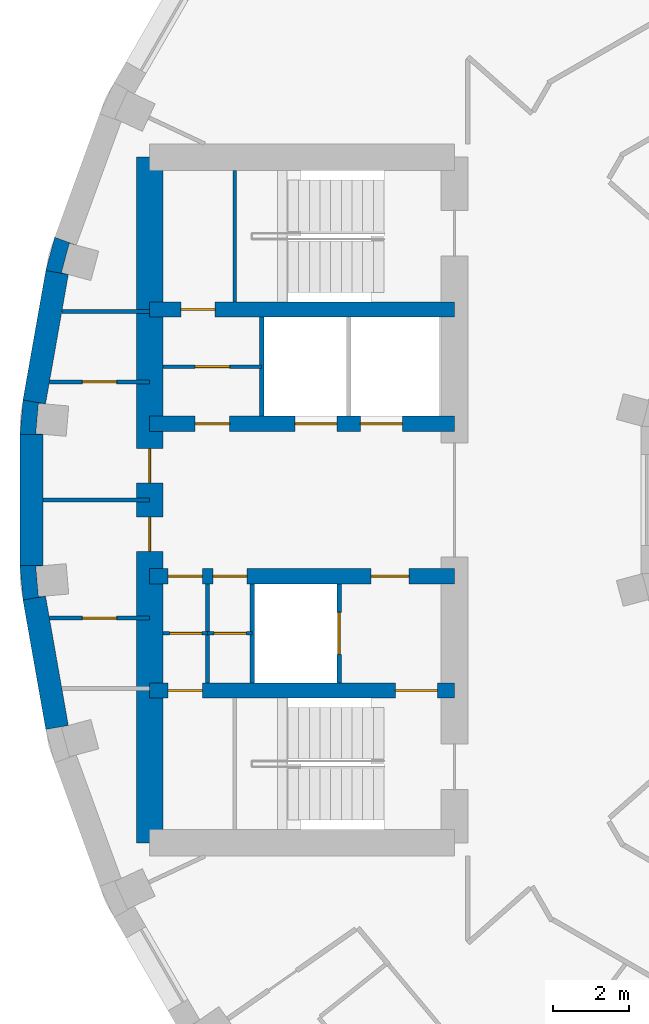
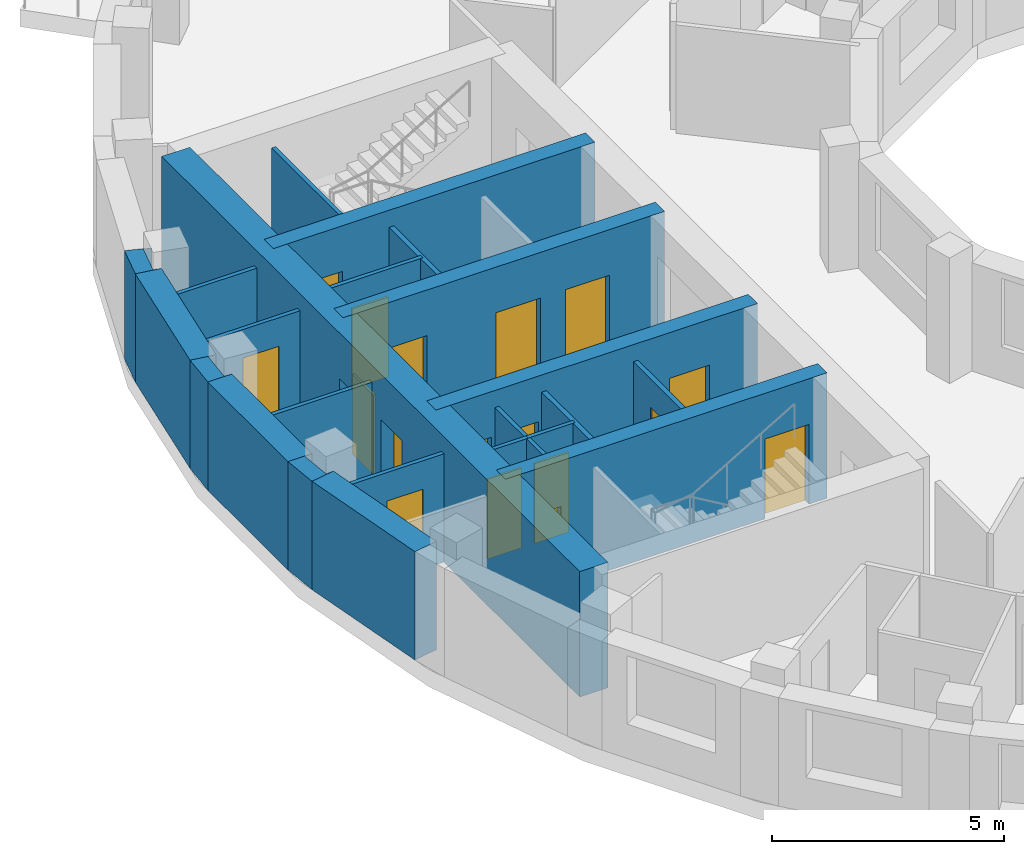
# One storey, part 6 of 14: 23 walls, 17 doors, 17 openings.
"""IFC4 building model written with IfcOpenShell, lengths in metres."""

from ifc_helpers import new_model, si_unit, direction, frame, frame_2d, origin, place, context, subcontext, project, spatial, polyline, rectangle, outline, extrude, material, layer, layer_set, type_object, element, fill, save


model = new_model("IFC4")

# Units and contexts
model_context = context("Model", 3, precision=1e-05, world=origin(), true_north=direction((0.0, 1.0)))
body_context = subcontext(model_context, "Body", "Model", "MODEL_VIEW")
ifc_project = project(units=[si_unit("LENGTHUNIT", "METRE"), si_unit("AREAUNIT", "SQUARE_METRE"), si_unit("VOLUMEUNIT", "CUBIC_METRE"), si_unit("PLANEANGLEUNIT", "RADIAN"), si_unit("MASSUNIT", "GRAM", prefix="KILO")], contexts=[model_context])

# Site, building, storey
site_placement = place(None, origin())
site = spatial("IfcSite", under=ifc_project, at=site_placement, CompositionType="ELEMENT")
building_placement = place(site_placement, origin())
building = spatial("IfcBuilding", under=site, at=building_placement, Name="Saqina Gate Tower", CompositionType="ELEMENT")
storey_placement = place(building_placement, frame((0.0, 0.0, 213.60009765625)))
storey = spatial("IfcBuildingStorey", under=building, at=storey_placement, Name="L61", CompositionType="ELEMENT", Elevation=213.60009765625)

# Walls
ifc_material_1 = material(Name="Brick masonry (buff)", Category="masonry")
wall_type_1 = type_object("IfcWallType", Name="BRICK PIER COPING BUFF", PredefinedType="SOLIDWALL", material=ifc_material_1)
wall_1_placement = place(storey_placement, origin())
element("IfcWall", 1, at=wall_1_placement, inside=storey, type_object=wall_type_1, Name="Pier cap L61 column 17", PredefinedType="SOLIDWALL", context=body_context, shape_type="SweptSolid", body=[
    extrude(outline(polyline([(-24.22705078125, 6.0234375), (-23.635986328125, 5.919189453125), (-23.81689453125, 5.967529296875), (-23.610107421875, 6.740478515625), (-23.428955078125, 6.69189453125), (-23.992919921875, 6.897216796875), (-24.22705078125, 6.0234375)])), origin(), (0.0, 0.0, 1.0), 2.849853515625),
])
wall_2_placement = place(storey_placement, origin())
element("IfcWall", 2, at=wall_2_placement, inside=storey, type_object=wall_type_1, Name="Pier cap L61 column 18", PredefinedType="SOLIDWALL", context=body_context, shape_type="SweptSolid", body=[
    extrude(outline(polyline([(-24.825927734375, 2.6259765625), (-24.90478515625, 1.724853515625), (-24.304931640625, 1.724853515625), (-24.491455078125, 1.7412109375), (-24.421630859375, 2.5380859375), (-24.235107421875, 2.521728515625), (-24.825927734375, 2.6259765625)])), origin(), (0.0, 0.0, 1.0), 2.849853515625),
])
wall_3_placement = place(storey_placement, origin())
element("IfcWall", 3, at=wall_3_placement, inside=storey, type_object=wall_type_1, Name="Pier cap L61 column 19", PredefinedType="SOLIDWALL", context=body_context, shape_type="SweptSolid", body=[
    extrude(outline(polyline([(-24.90478515625, -1.724853515625), (-24.825927734375, -2.6259765625), (-24.235107421875, -2.521728515625), (-24.421630859375, -2.5380859375), (-24.491455078125, -1.7412109375), (-24.304931640625, -1.724853515625), (-24.90478515625, -1.724853515625)])), origin(), (0.0, 0.0, 1.0), 2.849853515625),
])
ifc_material_2 = material(Name="Gypsum board on steel studs", Category="steel")
ifc_layer_1 = layer(ifc_material_2, 0.10009765625)
ifc_layer_set_1 = layer_set([ifc_layer_1], Name="CORE PARTITION")
wall_type_2 = type_object("IfcWallType", Name="CORE PARTITION", PredefinedType="PARTITIONING", material=ifc_layer_set_1)
wall_4_placement = place(storey_placement, frame((-21.5, 4.949951171875, 0.0), z_axis=(0.0, 0.0, 1.0), x_axis=(-1.0, 0.0, 0.0)))
element("IfcWall", 4, at=wall_4_placement, inside=storey, type_object=wall_type_2, Name="L61-CP-W01", PredefinedType="PARTITIONING", context=body_context, shape_type="SweptSolid", body=[
    extrude(rectangle(XDim=2.306884765625, YDim=0.10009765625, at=frame_2d((1.1533203125, 0.0))), origin(), (0.0, 0.0, 1.0), 2.849853515625),
])

# Wall, opening, door
wall_5_placement = place(storey_placement, frame((-21.5, 3.10009765625, 0.0), z_axis=(0.0, 0.0, 1.0), x_axis=(-1.0, 0.0, 0.0)))
wall_5 = element("IfcWall", 5, at=wall_5_placement, inside=storey, type_object=wall_type_2, Name="L61-CP-W02", PredefinedType="PARTITIONING", context=body_context, shape_type="SweptSolid", body=[
    extrude(rectangle(XDim=2.63330078125, YDim=0.10009765625, at=frame_2d((1.316650390625, 0.0))), origin(), (0.0, 0.0, 1.0), 2.849853515625),
])
opening_1_placement = place(wall_5_placement, frame((0.86669921875, 0.0, 0.0)))
opening_1 = element("IfcOpeningElement", 6, at=opening_1_placement, cuts=wall_5, Name="Opening G18-D111", PredefinedType="OPENING", context=body_context, shape_type="SweptSolid", body=[
    extrude(rectangle(XDim=0.89990234375, YDim=2.10009765625, at=frame_2d((0.449951171875, 1.050048828125))), frame((0.0, 0.06201171875, 0.0), z_axis=(0.0, -1.0, 0.0), x_axis=(1.0, 0.0, 0.0)), (0.0, 0.0, 1.0), 0.1240234375),
])
ifc_material_3 = material(Name="Steel-framed fire door leaf, EI 60", Category="steel")
door_type_1 = type_object("IfcDoorType", Name="SERVICE ROOM DOOR 900", OperationType="SINGLE_SWING_LEFT", PredefinedType="DOOR", material=ifc_material_3)
door_1_placement = place(opening_1_placement, origin())
door_1 = element("IfcDoor", 7, at=door_1_placement, inside=storey, type_object=door_type_1, Name="L61-CD-W22", OperationType="SINGLE_SWING_LEFT", OverallHeight=2.10009765625, OverallWidth=0.89990234375, PredefinedType="DOOR", context=body_context, shape_type="SweptSolid", body=[
    extrude(rectangle(XDim=0.89990234375, YDim=2.10009765625, at=frame_2d((0.449951171875, 1.050048828125))), frame((0.0, 0.02490234375, 0.0), z_axis=(0.0, -1.0, 0.0), x_axis=(1.0, 0.0, 0.0)), (0.0, 0.0, 1.0), 0.050048828125),
])
fill(opening_1, door_1)

wall_6_placement = place(storey_placement, frame((-21.5, -3.10009765625, 0.0), z_axis=(0.0, 0.0, 1.0), x_axis=(-1.0, 0.0, 0.0)))
wall_6 = element("IfcWall", 8, at=wall_6_placement, inside=storey, type_object=wall_type_2, Name="L61-CP-W04", PredefinedType="PARTITIONING", context=body_context, shape_type="SweptSolid", body=[
    extrude(rectangle(XDim=2.63330078125, YDim=0.10009765625, at=frame_2d((1.316650390625, 0.0))), origin(), (0.0, 0.0, 1.0), 2.849853515625),
])
opening_2_placement = place(wall_6_placement, frame((0.86669921875, 0.0, 0.0)))
opening_2 = element("IfcOpeningElement", 9, at=opening_2_placement, cuts=wall_6, Name="Opening G18-D113", PredefinedType="OPENING", context=body_context, shape_type="SweptSolid", body=[
    extrude(rectangle(XDim=0.89990234375, YDim=2.10009765625, at=frame_2d((0.449951171875, 1.050048828125))), frame((0.0, 0.06201171875, 0.0), z_axis=(0.0, -1.0, 0.0), x_axis=(1.0, 0.0, 0.0)), (0.0, 0.0, 1.0), 0.1240234375),
])
door_2_placement = place(opening_2_placement, frame((0.89990234375, 0.0, 0.0), z_axis=(0.0, 0.0, 1.0), x_axis=(-1.0, 0.0, 0.0)))
door_2 = element("IfcDoor", 10, at=door_2_placement, inside=storey, type_object=door_type_1, Name="L61-CD-W24", OperationType="SINGLE_SWING_RIGHT", OverallHeight=2.10009765625, OverallWidth=0.89990234375, PredefinedType="DOOR", context=body_context, shape_type="SweptSolid", body=[
    extrude(rectangle(XDim=0.89990234375, YDim=2.10009765625, at=frame_2d((0.449951171875, 1.050048828125))), frame((0.0, 0.02490234375, 0.0), z_axis=(0.0, -1.0, 0.0), x_axis=(1.0, 0.0, 0.0)), (0.0, 0.0, 1.0), 0.050048828125),
])
fill(opening_2, door_2)

# Walls
wall_7_placement = place(storey_placement, frame((-21.5, 0.0, 0.0), z_axis=(0.0, 0.0, 1.0), x_axis=(-1.0, 0.0, 0.0)))
element("IfcWall", 11, at=wall_7_placement, inside=storey, type_object=wall_type_2, Name="L61-CP-W05", PredefinedType="PARTITIONING", context=body_context, shape_type="SweptSolid", body=[
    extrude(rectangle(XDim=2.804931640625, YDim=0.10009765625, at=frame_2d((1.40234375, 0.0))), origin(), (0.0, 0.0, 1.0), 2.849853515625),
])
wall_8_placement = place(storey_placement, frame((-19.97998046875, -4.800048828125, 0.0), z_axis=(0.0, 0.0, 1.0), x_axis=(0.0, 1.0, 0.0)))
element("IfcWall", 12, at=wall_8_placement, inside=storey, type_object=wall_type_2, Name="L61-CP-W10", PredefinedType="PARTITIONING", context=body_context, shape_type="SweptSolid", body=[
    extrude(rectangle(XDim=2.60009765625, YDim=0.10009765625, at=frame_2d((1.300048828125, 0.0))), origin(), (0.0, 0.0, 1.0), 2.849853515625),
])

# Wall, opening, door
wall_9_placement = place(storey_placement, frame((-18.56005859375, 3.5, 0.0), z_axis=(0.0, 0.0, 1.0), x_axis=(-1.0, 0.0, 0.0)))
wall_9 = element("IfcWall", 13, at=wall_9_placement, inside=storey, type_object=wall_type_2, Name="L61-CP-W11", PredefinedType="PARTITIONING", context=body_context, shape_type="SweptSolid", body=[
    extrude(rectangle(XDim=2.58984375, YDim=0.10009765625, at=frame_2d((1.294921875, 0.0))), origin(), (0.0, 0.0, 1.0), 2.849853515625),
])
opening_3_placement = place(wall_9_placement, frame((0.844970703125, 0.0, 0.0)))
opening_3 = element("IfcOpeningElement", 14, at=opening_3_placement, cuts=wall_9, Name="Opening G18-D115", PredefinedType="OPENING", context=body_context, shape_type="SweptSolid", body=[
    extrude(rectangle(XDim=0.89990234375, YDim=2.10009765625, at=frame_2d((0.449951171875, 1.050048828125))), frame((0.0, 0.06201171875, 0.0), z_axis=(0.0, -1.0, 0.0), x_axis=(1.0, 0.0, 0.0)), (0.0, 0.0, 1.0), 0.1240234375),
])
door_3_placement = place(opening_3_placement, frame((0.89990234375, 0.0, 0.0), z_axis=(0.0, 0.0, 1.0), x_axis=(-1.0, 0.0, 0.0)))
door_3 = element("IfcDoor", 15, at=door_3_placement, inside=storey, type_object=door_type_1, Name="L61-CD-W26", OperationType="SINGLE_SWING_LEFT", OverallHeight=2.10009765625, OverallWidth=0.89990234375, PredefinedType="DOOR", context=body_context, shape_type="SweptSolid", body=[
    extrude(rectangle(XDim=0.89990234375, YDim=2.10009765625, at=frame_2d((0.449951171875, 1.050048828125))), frame((0.0, 0.02490234375, 0.0), z_axis=(0.0, -1.0, 0.0), x_axis=(1.0, 0.0, 0.0)), (0.0, 0.0, 1.0), 0.050048828125),
])
fill(opening_3, door_3)

wall_10_placement = place(storey_placement, frame((-18.81005859375, -3.5, 0.0), z_axis=(0.0, 0.0, 1.0), x_axis=(-1.0, 0.0, 0.0)))
wall_10 = element("IfcWall", 16, at=wall_10_placement, inside=storey, type_object=wall_type_2, Name="L61-CP-W12", PredefinedType="PARTITIONING", context=body_context, shape_type="SweptSolid", body=[
    extrude(rectangle(XDim=1.169921875, YDim=0.10009765625, at=frame_2d((0.5849609375, 0.0))), origin(), (0.0, 0.0, 1.0), 2.849853515625),
])
opening_4_placement = place(wall_10_placement, frame((0.14990234375, 0.0, 0.0)))
opening_4 = element("IfcOpeningElement", 17, at=opening_4_placement, cuts=wall_10, Name="Opening G18-D117", PredefinedType="OPENING", context=body_context, shape_type="SweptSolid", body=[
    extrude(rectangle(XDim=0.85009765625, YDim=2.10009765625, at=frame_2d((0.425048828125, 1.050048828125))), frame((0.0, 0.06201171875, 0.0), z_axis=(0.0, -1.0, 0.0), x_axis=(1.0, 0.0, 0.0)), (0.0, 0.0, 1.0), 0.1240234375),
])
ifc_material_4 = material(Name="Steel-framed fire door leaf, EI 60", Category="steel")
door_type_2 = type_object("IfcDoorType", Name="SERVICE ROOM DOOR 850", OperationType="SINGLE_SWING_LEFT", PredefinedType="DOOR", material=ifc_material_4)
door_4_placement = place(opening_4_placement, origin())
door_4 = element("IfcDoor", 18, at=door_4_placement, inside=storey, type_object=door_type_2, Name="L61-CD-W28", OperationType="SINGLE_SWING_LEFT", OverallHeight=2.10009765625, OverallWidth=0.85009765625, PredefinedType="DOOR", context=body_context, shape_type="SweptSolid", body=[
    extrude(rectangle(XDim=0.85009765625, YDim=2.10009765625, at=frame_2d((0.425048828125, 1.050048828125))), frame((0.0, 0.02490234375, 0.0), z_axis=(0.0, -1.0, 0.0), x_axis=(1.0, 0.0, 0.0)), (0.0, 0.0, 1.0), 0.050048828125),
])
fill(opening_4, door_4)

wall_11_placement = place(storey_placement, frame((-19.97998046875, -3.5, 0.0), z_axis=(0.0, 0.0, 1.0), x_axis=(-1.0, 0.0, 0.0)))
wall_11 = element("IfcWall", 19, at=wall_11_placement, inside=storey, type_object=wall_type_2, Name="L61-CP-W13", PredefinedType="PARTITIONING", context=body_context, shape_type="SweptSolid", body=[
    extrude(rectangle(XDim=1.169921875, YDim=0.10009765625, at=frame_2d((0.5849609375, 0.0))), origin(), (0.0, 0.0, 1.0), 2.849853515625),
])
opening_5_placement = place(wall_11_placement, frame((0.14990234375, 0.0, 0.0)))
opening_5 = element("IfcOpeningElement", 20, at=opening_5_placement, cuts=wall_11, Name="Opening G18-D118", PredefinedType="OPENING", context=body_context, shape_type="SweptSolid", body=[
    extrude(rectangle(XDim=0.85009765625, YDim=2.10009765625, at=frame_2d((0.425048828125, 1.050048828125))), frame((0.0, 0.06201171875, 0.0), z_axis=(0.0, -1.0, 0.0), x_axis=(1.0, 0.0, 0.0)), (0.0, 0.0, 1.0), 0.1240234375),
])
door_5_placement = place(opening_5_placement, origin())
door_5 = element("IfcDoor", 21, at=door_5_placement, inside=storey, type_object=door_type_2, Name="L61-CD-W29", OperationType="SINGLE_SWING_RIGHT", OverallHeight=2.10009765625, OverallWidth=0.85009765625, PredefinedType="DOOR", context=body_context, shape_type="SweptSolid", body=[
    extrude(rectangle(XDim=0.85009765625, YDim=2.10009765625, at=frame_2d((0.425048828125, 1.050048828125))), frame((0.0, 0.02490234375, 0.0), z_axis=(0.0, -1.0, 0.0), x_axis=(1.0, 0.0, 0.0)), (0.0, 0.0, 1.0), 0.050048828125),
])
fill(opening_5, door_5)

# Walls
ifc_material_5 = material(Name="Glazed ceramic tile", Category="ceramic")
ifc_layer_2 = layer(ifc_material_5, 0.60009765625)
ifc_layer_set_2 = layer_set([ifc_layer_2], Name="FW-TILE")
wall_type_3 = type_object("IfcWallType", Name="FW-TILE", PredefinedType="SOLIDWALL", material=ifc_layer_set_2)
wall_12_placement = place(storey_placement, frame((-24.60498046875, 1.724853515625, 0.0), z_axis=(0.0, 0.0, 1.0), x_axis=(0.0, -1.0, 0.0)))
element("IfcWall", 22, at=wall_12_placement, inside=storey, type_object=wall_type_3, Name="Facade wall L61 facet 18", PredefinedType="SOLIDWALL", context=body_context, shape_type="SweptSolid", body=[
    extrude(rectangle(XDim=3.44970703125, YDim=0.60009765625, at=frame_2d((1.724853515625, 0.0))), origin(), (0.0, 0.0, 1.0), 2.849853515625),
])
ifc_material_6 = material(Name="Glazed ceramic tile (dark blue)", Category="ceramic")
ifc_layer_3 = layer(ifc_material_6, 0.60009765625)
ifc_layer_set_3 = layer_set([ifc_layer_3], Name="FW-TILE-CB")
wall_type_4 = type_object("IfcWallType", Name="FW-TILE-CB", PredefinedType="SOLIDWALL", material=ifc_layer_set_3)
wall_13_placement = place(storey_placement, frame((-23.931640625, 5.97119140625, 0.0), z_axis=(0.0, 0.0, 1.0), x_axis=(-0.173607684551, -0.984814892183, 0.0)))
element("IfcWall", 23, at=wall_13_placement, inside=storey, type_object=wall_type_4, Name="Facade wall L61 facet 17", PredefinedType="SOLIDWALL", context=body_context, shape_type="SweptSolid", body=[
    extrude(rectangle(XDim=3.44970703125, YDim=0.60009765625, at=frame_2d((1.724853515625, 0.0))), origin(), (0.0, 0.0, 1.0), 2.849853515625),
])
ifc_material_7 = material(Name="Glazed ceramic tile (white)", Category="ceramic")
ifc_layer_4 = layer(ifc_material_7, 0.60009765625)
ifc_layer_set_4 = layer_set([ifc_layer_4], Name="FW-TILE-WH")
wall_type_5 = type_object("IfcWallType", Name="FW-TILE-WH", PredefinedType="SOLIDWALL", material=ifc_layer_set_4)
wall_14_placement = place(storey_placement, frame((-24.530517578125, -2.573974609375, 0.0), z_axis=(0.0, 0.0, 1.0), x_axis=(0.173607684551, -0.984814892183, 0.0)))
element("IfcWall", 24, at=wall_14_placement, inside=storey, type_object=wall_type_5, Name="Facade wall L61 facet 19", PredefinedType="SOLIDWALL", context=body_context, shape_type="SweptSolid", body=[
    extrude(rectangle(XDim=3.44970703125, YDim=0.60009765625, at=frame_2d((1.724853515625, 0.0))), origin(), (0.0, 0.0, 1.0), 2.849853515625),
])
ifc_material_8 = material(Name="Autoclaved aerated concrete block", Category="concrete")
ifc_layer_5 = layer(ifc_material_8, 0.1201171875)
ifc_layer_set_5 = layer_set([ifc_layer_5], Name="SHAFT PARTITION")
wall_type_6 = type_object("IfcWallType", Name="SHAFT PARTITION", PredefinedType="PARTITIONING", material=ifc_layer_set_5)
wall_15_placement = place(storey_placement, frame((-18.56005859375, 2.199951171875, 0.0), z_axis=(0.0, 0.0, 1.0), x_axis=(0.0, 1.0, 0.0)))
element("IfcWall", 25, at=wall_15_placement, inside=storey, type_object=wall_type_6, Name="L61-CP-W07", PredefinedType="PARTITIONING", context=body_context, shape_type="SweptSolid", body=[
    extrude(rectangle(XDim=2.60009765625, YDim=0.1201171875, at=frame_2d((1.300048828125, 0.0))), origin(), (0.0, 0.0, 1.0), 2.849853515625),
])

# Wall, opening, door
wall_16_placement = place(storey_placement, frame((-16.530029296875, -4.800048828125, 0.0), z_axis=(0.0, 0.0, 1.0), x_axis=(0.0, 1.0, 0.0)))
wall_16 = element("IfcWall", 26, at=wall_16_placement, inside=storey, type_object=wall_type_6, Name="L61-CP-W08", PredefinedType="PARTITIONING", context=body_context, shape_type="SweptSolid", body=[
    extrude(rectangle(XDim=2.60009765625, YDim=0.1201171875, at=frame_2d((1.300048828125, 0.0))), origin(), (0.0, 0.0, 1.0), 2.849853515625),
])
opening_6_placement = place(wall_16_placement, frame((0.75, 0.0, 0.0)))
opening_6 = element("IfcOpeningElement", 27, at=opening_6_placement, cuts=wall_16, Name="Opening G18-LD6", PredefinedType="OPENING", context=body_context, shape_type="SweptSolid", body=[
    extrude(rectangle(XDim=1.10009765625, YDim=2.10009765625, at=frame_2d((0.550048828125, 1.050048828125))), frame((0.0, 0.072021484375, 0.0), z_axis=(0.0, -1.0, 0.0), x_axis=(1.0, 0.0, 0.0)), (0.0, 0.0, 1.0), 0.14404296875),
])
ifc_material_9 = material(Name="Stainless steel", Category="steel")
door_type_3 = type_object("IfcDoorType", Name="LANDING DOOR", OperationType="DOUBLE_DOOR_SLIDING", PredefinedType="DOOR", material=ifc_material_9)
door_6_placement = place(opening_6_placement, origin())
door_6 = element("IfcDoor", 28, at=door_6_placement, inside=storey, type_object=door_type_3, Name="LANDING DOOR FF2", OperationType="DOUBLE_DOOR_SLIDING", OverallHeight=2.10009765625, OverallWidth=1.10009765625, PredefinedType="DOOR", context=body_context, shape_type="SweptSolid", body=[
    extrude(rectangle(XDim=1.10009765625, YDim=2.10009765625, at=frame_2d((0.550048828125, 1.050048828125))), frame((0.0, 0.02490234375, 0.0), z_axis=(0.0, -1.0, 0.0), x_axis=(1.0, 0.0, 0.0)), (0.0, 0.0, 1.0), 0.050048828125),
])
fill(opening_6, door_6)

# Walls
wall_17_placement = place(storey_placement, frame((-18.81005859375, -4.800048828125, 0.0), z_axis=(0.0, 0.0, 1.0), x_axis=(0.0, 1.0, 0.0)))
element("IfcWall", 29, at=wall_17_placement, inside=storey, type_object=wall_type_6, Name="L61-CP-W09", PredefinedType="PARTITIONING", context=body_context, shape_type="SweptSolid", body=[
    extrude(rectangle(XDim=2.60009765625, YDim=0.1201171875, at=frame_2d((1.300048828125, 0.0))), origin(), (0.0, 0.0, 1.0), 2.849853515625),
])
ifc_material_10 = material(Name="Autoclaved aerated concrete block", Category="concrete")
ifc_layer_6 = layer(ifc_material_10, 0.10009765625)
ifc_layer_set_6 = layer_set([ifc_layer_6], Name="STAIR ENCLOSURE WALL")
wall_type_7 = type_object("IfcWallType", Name="STAIR ENCLOSURE WALL", PredefinedType="PARTITIONING", material=ifc_layer_set_6)
wall_18_placement = place(storey_placement, frame((-19.27001953125, 5.199951171875, 0.0), z_axis=(0.0, 0.0, 1.0), x_axis=(0.0, 1.0, 0.0)))
element("IfcWall", 30, at=wall_18_placement, inside=storey, type_object=wall_type_7, Name="L61-CP-W14", PredefinedType="PARTITIONING", context=body_context, shape_type="SweptSolid", body=[
    extrude(rectangle(XDim=3.449951171875, YDim=0.10009765625, at=frame_2d((1.72509765625, 0.0))), origin(), (0.0, 0.0, 1.0), 2.849853515625),
])

# Wall, opening, door
ifc_material_11 = material(Name="Concrete C60/75", Category="concrete")
ifc_layer_7 = layer(ifc_material_11, 0.39990234375)
ifc_layer_set_7 = layer_set([ifc_layer_7], Name="Concrete C60/75")
wall_type_8 = type_object("IfcWallType", Name="STR-CORE WALL-C-I", PredefinedType="SHEAR", material=ifc_layer_set_7)
wall_19_placement = place(storey_placement, frame((-13.5, 5.0, 0.0), z_axis=(0.0, 0.0, 1.0), x_axis=(-1.0, 0.0, 0.0)))
wall_19 = element("IfcWall", 31, at=wall_19_placement, inside=storey, type_object=wall_type_8, Name="CORE WALL L61 W-X1", PredefinedType="SHEAR", context=body_context, shape_type="SweptSolid", body=[
    extrude(rectangle(XDim=8.0, YDim=0.39990234375, at=frame_2d((4.0, 0.0))), origin(), (0.0, 0.0, 1.0), 3.2998046875),
])
opening_7_placement = place(wall_19_placement, frame((6.284912109375, 0.0, 0.0)))
opening_7 = element("IfcOpeningElement", 32, at=opening_7_placement, cuts=wall_19, Name="Opening G18-D116", PredefinedType="OPENING", context=body_context, shape_type="SweptSolid", body=[
    extrude(rectangle(XDim=0.89990234375, YDim=2.10009765625, at=frame_2d((0.449951171875, 1.050048828125))), frame((0.0, 0.2119140625, 0.0), z_axis=(0.0, -1.0, 0.0), x_axis=(1.0, 0.0, 0.0)), (0.0, 0.0, 1.0), 0.423828125),
])
door_7_placement = place(opening_7_placement, frame((0.89990234375, 0.0, 0.0), z_axis=(0.0, 0.0, 1.0), x_axis=(-1.0, 0.0, 0.0)))
door_7 = element("IfcDoor", 33, at=door_7_placement, inside=storey, type_object=door_type_1, Name="L61-CD-W27", OperationType="SINGLE_SWING_LEFT", OverallHeight=2.10009765625, OverallWidth=0.89990234375, PredefinedType="DOOR", context=body_context, shape_type="SweptSolid", body=[
    extrude(rectangle(XDim=0.89990234375, YDim=2.10009765625, at=frame_2d((0.449951171875, 1.050048828125))), frame((0.0, 0.02490234375, 0.0), z_axis=(0.0, -1.0, 0.0), x_axis=(1.0, 0.0, 0.0)), (0.0, 0.0, 1.0), 0.050048828125),
])
fill(opening_7, door_7)

# Wall, openings, doors
wall_20_placement = place(storey_placement, frame((-13.5, -5.0, 0.0), z_axis=(0.0, 0.0, 1.0), x_axis=(-1.0, 0.0, 0.0)))
wall_20 = element("IfcWall", 34, at=wall_20_placement, inside=storey, type_object=wall_type_8, Name="CORE WALL L61 W-X2", PredefinedType="SHEAR", context=body_context, shape_type="SweptSolid", body=[
    extrude(rectangle(XDim=8.0, YDim=0.39990234375, at=frame_2d((4.0, 0.0))), origin(), (0.0, 0.0, 1.0), 3.2998046875),
])
opening_8_placement = place(wall_20_placement, frame((6.614990234375, 0.0, 0.0)))
opening_8 = element("IfcOpeningElement", 35, at=opening_8_placement, cuts=wall_20, Name="Opening G18-D119", PredefinedType="OPENING", context=body_context, shape_type="SweptSolid", body=[
    extrude(rectangle(XDim=0.89990234375, YDim=2.10009765625, at=frame_2d((0.449951171875, 1.050048828125))), frame((0.0, 0.2119140625, 0.0), z_axis=(0.0, -1.0, 0.0), x_axis=(1.0, 0.0, 0.0)), (0.0, 0.0, 1.0), 0.423828125),
])
opening_9_placement = place(wall_20_placement, frame((0.449951171875, 0.0, 0.0)))
opening_9 = element("IfcOpeningElement", 36, at=opening_9_placement, cuts=wall_20, Name="Opening G18-D120", PredefinedType="OPENING", context=body_context, shape_type="SweptSolid", body=[
    extrude(rectangle(XDim=1.10009765625, YDim=2.10009765625, at=frame_2d((0.550048828125, 1.050048828125))), frame((0.0, 0.2119140625, 0.0), z_axis=(0.0, -1.0, 0.0), x_axis=(1.0, 0.0, 0.0)), (0.0, 0.0, 1.0), 0.423828125),
])
ifc_material_12 = material(Name="Steel", Category="steel")
door_type_4 = type_object("IfcDoorType", Name="FIRE LOBBY DOOR EI 60 WIDE", OperationType="SINGLE_SWING_LEFT", PredefinedType="DOOR", material=ifc_material_12)
door_8_placement = place(opening_9_placement, origin())
door_8 = element("IfcDoor", 37, at=door_8_placement, inside=storey, type_object=door_type_4, Name="L61-CD-W31", OperationType="SINGLE_SWING_LEFT", OverallHeight=2.10009765625, OverallWidth=1.10009765625, PredefinedType="DOOR", context=body_context, shape_type="SweptSolid", body=[
    extrude(rectangle(XDim=1.10009765625, YDim=2.10009765625, at=frame_2d((0.550048828125, 1.050048828125))), frame((0.0, 0.02490234375, 0.0), z_axis=(0.0, -1.0, 0.0), x_axis=(1.0, 0.0, 0.0)), (0.0, 0.0, 1.0), 0.050048828125),
])
fill(opening_9, door_8)
door_9_placement = place(opening_8_placement, origin())
door_9 = element("IfcDoor", 38, at=door_9_placement, inside=storey, type_object=door_type_1, Name="L61-CD-W30", OperationType="SINGLE_SWING_RIGHT", OverallHeight=2.10009765625, OverallWidth=0.89990234375, PredefinedType="DOOR", context=body_context, shape_type="SweptSolid", body=[
    extrude(rectangle(XDim=0.89990234375, YDim=2.10009765625, at=frame_2d((0.449951171875, 1.050048828125))), frame((0.0, 0.02490234375, 0.0), z_axis=(0.0, -1.0, 0.0), x_axis=(1.0, 0.0, 0.0)), (0.0, 0.0, 1.0), 0.050048828125),
])
fill(opening_8, door_9)

wall_21_placement = place(storey_placement, frame((-13.5, 2.0, 0.0), z_axis=(0.0, 0.0, 1.0), x_axis=(-1.0, 0.0, 0.0)))
wall_21 = element("IfcWall", 39, at=wall_21_placement, inside=storey, type_object=wall_type_8, Name="CORE WALL L61 W-L1", PredefinedType="SHEAR", context=body_context, shape_type="SweptSolid", body=[
    extrude(rectangle(XDim=8.0, YDim=0.39990234375, at=frame_2d((4.0, 0.0))), origin(), (0.0, 0.0, 1.0), 3.2998046875),
])
opening_10_placement = place(wall_21_placement, frame((1.3701171875, 0.0, 0.0)))
opening_10 = element("IfcOpeningElement", 40, at=opening_10_placement, cuts=wall_21, Name="Opening G18-LD4", PredefinedType="OPENING", context=body_context, shape_type="SweptSolid", body=[
    extrude(rectangle(XDim=1.10009765625, YDim=2.10009765625, at=frame_2d((0.550048828125, 1.050048828125))), frame((0.0, 0.2119140625, 0.0), z_axis=(0.0, -1.0, 0.0), x_axis=(1.0, 0.0, 0.0)), (0.0, 0.0, 1.0), 0.423828125),
])
opening_11_placement = place(wall_21_placement, frame((3.090087890625, 0.0, 0.0)))
opening_11 = element("IfcOpeningElement", 41, at=opening_11_placement, cuts=wall_21, Name="Opening G18-LD5", PredefinedType="OPENING", context=body_context, shape_type="SweptSolid", body=[
    extrude(rectangle(XDim=1.10009765625, YDim=2.10009765625, at=frame_2d((0.550048828125, 1.050048828125))), frame((0.0, 0.2119140625, 0.0), z_axis=(0.0, -1.0, 0.0), x_axis=(1.0, 0.0, 0.0)), (0.0, 0.0, 1.0), 0.423828125),
])
opening_12_placement = place(wall_21_placement, frame((5.905029296875, 0.0, 0.0)))
opening_12 = element("IfcOpeningElement", 42, at=opening_12_placement, cuts=wall_21, Name="Opening G18-D107", PredefinedType="OPENING", context=body_context, shape_type="SweptSolid", body=[
    extrude(rectangle(XDim=0.89990234375, YDim=2.10009765625, at=frame_2d((0.449951171875, 1.050048828125))), frame((0.0, 0.2119140625, 0.0), z_axis=(0.0, -1.0, 0.0), x_axis=(1.0, 0.0, 0.0)), (0.0, 0.0, 1.0), 0.423828125),
])
door_10_placement = place(opening_10_placement, origin())
door_10 = element("IfcDoor", 43, at=door_10_placement, inside=storey, type_object=door_type_3, Name="LANDING DOOR HR3", OperationType="DOUBLE_DOOR_SLIDING", OverallHeight=2.10009765625, OverallWidth=1.10009765625, PredefinedType="DOOR", context=body_context, shape_type="SweptSolid", body=[
    extrude(rectangle(XDim=1.10009765625, YDim=2.10009765625, at=frame_2d((0.550048828125, 1.050048828125))), frame((0.0, 0.02490234375, 0.0), z_axis=(0.0, -1.0, 0.0), x_axis=(1.0, 0.0, 0.0)), (0.0, 0.0, 1.0), 0.050048828125),
])
fill(opening_10, door_10)
door_11_placement = place(opening_11_placement, origin())
door_11 = element("IfcDoor", 44, at=door_11_placement, inside=storey, type_object=door_type_3, Name="LANDING DOOR HR4", OperationType="DOUBLE_DOOR_SLIDING", OverallHeight=2.10009765625, OverallWidth=1.10009765625, PredefinedType="DOOR", context=body_context, shape_type="SweptSolid", body=[
    extrude(rectangle(XDim=1.10009765625, YDim=2.10009765625, at=frame_2d((0.550048828125, 1.050048828125))), frame((0.0, 0.02490234375, 0.0), z_axis=(0.0, -1.0, 0.0), x_axis=(1.0, 0.0, 0.0)), (0.0, 0.0, 1.0), 0.050048828125),
])
fill(opening_11, door_11)
door_12_placement = place(opening_12_placement, frame((0.89990234375, 0.0, 0.0), z_axis=(0.0, 0.0, 1.0), x_axis=(-1.0, 0.0, 0.0)))
door_12 = element("IfcDoor", 45, at=door_12_placement, inside=storey, type_object=door_type_1, Name="L61-CD-W18", OperationType="SINGLE_SWING_LEFT", OverallHeight=2.10009765625, OverallWidth=0.89990234375, PredefinedType="DOOR", context=body_context, shape_type="SweptSolid", body=[
    extrude(rectangle(XDim=0.89990234375, YDim=2.10009765625, at=frame_2d((0.449951171875, 1.050048828125))), frame((0.0, 0.02490234375, 0.0), z_axis=(0.0, -1.0, 0.0), x_axis=(1.0, 0.0, 0.0)), (0.0, 0.0, 1.0), 0.050048828125),
])
fill(opening_12, door_12)

wall_22_placement = place(storey_placement, frame((-13.5, -2.0, 0.0), z_axis=(0.0, 0.0, 1.0), x_axis=(-1.0, 0.0, 0.0)))
wall_22 = element("IfcWall", 46, at=wall_22_placement, inside=storey, type_object=wall_type_8, Name="CORE WALL L61 W-L2", PredefinedType="SHEAR", context=body_context, shape_type="SweptSolid", body=[
    extrude(rectangle(XDim=8.0, YDim=0.39990234375, at=frame_2d((4.0, 0.0))), origin(), (0.0, 0.0, 1.0), 3.2998046875),
])
opening_13_placement = place(wall_22_placement, frame((1.18994140625, 0.0, 0.0)))
opening_13 = element("IfcOpeningElement", 47, at=opening_13_placement, cuts=wall_22, Name="Opening G18-D108", PredefinedType="OPENING", context=body_context, shape_type="SweptSolid", body=[
    extrude(rectangle(XDim=1.0, YDim=2.10009765625, at=frame_2d((0.5, 1.050048828125))), frame((0.0, 0.2119140625, 0.0), z_axis=(0.0, -1.0, 0.0), x_axis=(1.0, 0.0, 0.0)), (0.0, 0.0, 1.0), 0.423828125),
])
opening_14_placement = place(wall_22_placement, frame((5.445068359375, 0.0, 0.0)))
opening_14 = element("IfcOpeningElement", 48, at=opening_14_placement, cuts=wall_22, Name="Opening G18-D109", PredefinedType="OPENING", context=body_context, shape_type="SweptSolid", body=[
    extrude(rectangle(XDim=0.89990234375, YDim=2.10009765625, at=frame_2d((0.449951171875, 1.050048828125))), frame((0.0, 0.2119140625, 0.0), z_axis=(0.0, -1.0, 0.0), x_axis=(1.0, 0.0, 0.0)), (0.0, 0.0, 1.0), 0.423828125),
])
opening_15_placement = place(wall_22_placement, frame((6.614990234375, 0.0, 0.0)))
opening_15 = element("IfcOpeningElement", 49, at=opening_15_placement, cuts=wall_22, Name="Opening G18-D110", PredefinedType="OPENING", context=body_context, shape_type="SweptSolid", body=[
    extrude(rectangle(XDim=0.89990234375, YDim=2.10009765625, at=frame_2d((0.449951171875, 1.050048828125))), frame((0.0, 0.2119140625, 0.0), z_axis=(0.0, -1.0, 0.0), x_axis=(1.0, 0.0, 0.0)), (0.0, 0.0, 1.0), 0.423828125),
])
ifc_material_13 = material(Name="Steel", Category="steel")
door_type_5 = type_object("IfcDoorType", Name="FIRE LOBBY DOOR EI 60", OperationType="SINGLE_SWING_LEFT", PredefinedType="DOOR", material=ifc_material_13)
door_13_placement = place(opening_13_placement, frame((1.0, 0.0, 0.0), z_axis=(0.0, 0.0, 1.0), x_axis=(-1.0, 0.0, 0.0)))
door_13 = element("IfcDoor", 50, at=door_13_placement, inside=storey, type_object=door_type_5, Name="L61-CD-W19", OperationType="SINGLE_SWING_RIGHT", OverallHeight=2.10009765625, OverallWidth=1.0, PredefinedType="DOOR", context=body_context, shape_type="SweptSolid", body=[
    extrude(rectangle(XDim=1.0, YDim=2.10009765625, at=frame_2d((0.5, 1.050048828125))), frame((0.0, 0.02490234375, 0.0), z_axis=(0.0, -1.0, 0.0), x_axis=(1.0, 0.0, 0.0)), (0.0, 0.0, 1.0), 0.050048828125),
])
fill(opening_13, door_13)
door_14_placement = place(opening_14_placement, origin())
door_14 = element("IfcDoor", 51, at=door_14_placement, inside=storey, type_object=door_type_1, Name="L61-CD-W20", OperationType="SINGLE_SWING_LEFT", OverallHeight=2.10009765625, OverallWidth=0.89990234375, PredefinedType="DOOR", context=body_context, shape_type="SweptSolid", body=[
    extrude(rectangle(XDim=0.89990234375, YDim=2.10009765625, at=frame_2d((0.449951171875, 1.050048828125))), frame((0.0, 0.02490234375, 0.0), z_axis=(0.0, -1.0, 0.0), x_axis=(1.0, 0.0, 0.0)), (0.0, 0.0, 1.0), 0.050048828125),
])
fill(opening_14, door_14)
door_15_placement = place(opening_15_placement, origin())
door_15 = element("IfcDoor", 52, at=door_15_placement, inside=storey, type_object=door_type_1, Name="L61-CD-W21", OperationType="SINGLE_SWING_RIGHT", OverallHeight=2.10009765625, OverallWidth=0.89990234375, PredefinedType="DOOR", context=body_context, shape_type="SweptSolid", body=[
    extrude(rectangle(XDim=0.89990234375, YDim=2.10009765625, at=frame_2d((0.449951171875, 1.050048828125))), frame((0.0, 0.02490234375, 0.0), z_axis=(0.0, -1.0, 0.0), x_axis=(1.0, 0.0, 0.0)), (0.0, 0.0, 1.0), 0.050048828125),
])
fill(opening_15, door_15)

ifc_material_14 = material(Name="Concrete C60/75", Category="concrete")
ifc_layer_8 = layer(ifc_material_14, 0.699951171875)
ifc_layer_set_8 = layer_set([ifc_layer_8], Name="Concrete C60/75")
wall_type_9 = type_object("IfcWallType", Name="STR-CORE WALL-C-O", PredefinedType="SHEAR", material=ifc_layer_set_8)
wall_23_placement = place(storey_placement, frame((-21.5, -9.0, 0.0), z_axis=(0.0, 0.0, 1.0), x_axis=(0.0, 1.0, 0.0)))
wall_23 = element("IfcWall", 53, at=wall_23_placement, inside=storey, type_object=wall_type_9, Name="CORE WALL L61 W-W2", PredefinedType="SHEAR", context=body_context, shape_type="SweptSolid", body=[
    extrude(rectangle(XDim=18.0, YDim=0.699951171875, at=frame_2d((9.0, 0.0))), origin(), (0.0, 0.0, 1.0), 3.2998046875),
])
opening_16_placement = place(wall_23_placement, frame((9.449951171875, 0.0, 0.0)))
opening_16 = element("IfcOpeningElement", 54, at=opening_16_placement, cuts=wall_23, Name="Opening G18-D112", PredefinedType="OPENING", context=body_context, shape_type="SweptSolid", body=[
    extrude(rectangle(XDim=0.89990234375, YDim=2.10009765625, at=frame_2d((0.449951171875, 1.050048828125))), frame((0.0, 0.362060546875, 0.0), z_axis=(0.0, -1.0, 0.0), x_axis=(1.0, 0.0, 0.0)), (0.0, 0.0, 1.0), 0.723876953125),
])
opening_17_placement = place(wall_23_placement, frame((7.64990234375, 0.0, 0.0)))
opening_17 = element("IfcOpeningElement", 55, at=opening_17_placement, cuts=wall_23, Name="Opening G18-D114", PredefinedType="OPENING", context=body_context, shape_type="SweptSolid", body=[
    extrude(rectangle(XDim=0.89990234375, YDim=2.10009765625, at=frame_2d((0.449951171875, 1.050048828125))), frame((0.0, 0.362060546875, 0.0), z_axis=(0.0, -1.0, 0.0), x_axis=(1.0, 0.0, 0.0)), (0.0, 0.0, 1.0), 0.723876953125),
])
door_16_placement = place(opening_16_placement, origin())
door_16 = element("IfcDoor", 56, at=door_16_placement, inside=storey, type_object=door_type_1, Name="L61-CD-W23", OperationType="SINGLE_SWING_LEFT", OverallHeight=2.10009765625, OverallWidth=0.89990234375, PredefinedType="DOOR", context=body_context, shape_type="SweptSolid", body=[
    extrude(rectangle(XDim=0.89990234375, YDim=2.10009765625, at=frame_2d((0.449951171875, 1.050048828125))), frame((0.0, 0.02490234375, 0.0), z_axis=(0.0, -1.0, 0.0), x_axis=(1.0, 0.0, 0.0)), (0.0, 0.0, 1.0), 0.050048828125),
])
fill(opening_16, door_16)
door_17_placement = place(opening_17_placement, origin())
door_17 = element("IfcDoor", 57, at=door_17_placement, inside=storey, type_object=door_type_1, Name="L61-CD-W25", OperationType="SINGLE_SWING_RIGHT", OverallHeight=2.10009765625, OverallWidth=0.89990234375, PredefinedType="DOOR", context=body_context, shape_type="SweptSolid", body=[
    extrude(rectangle(XDim=0.89990234375, YDim=2.10009765625, at=frame_2d((0.449951171875, 1.050048828125))), frame((0.0, 0.02490234375, 0.0), z_axis=(0.0, -1.0, 0.0), x_axis=(1.0, 0.0, 0.0)), (0.0, 0.0, 1.0), 0.050048828125),
])
fill(opening_17, door_17)

save(model, "model.ifc")
